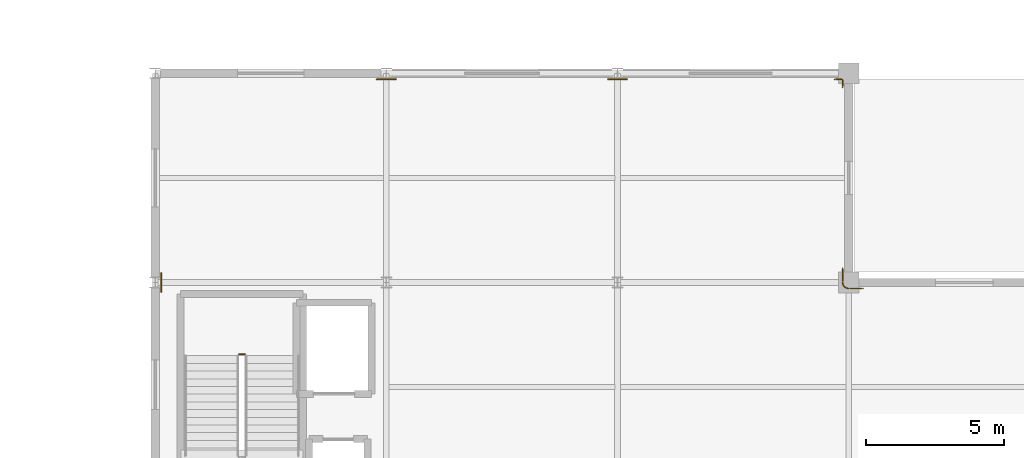
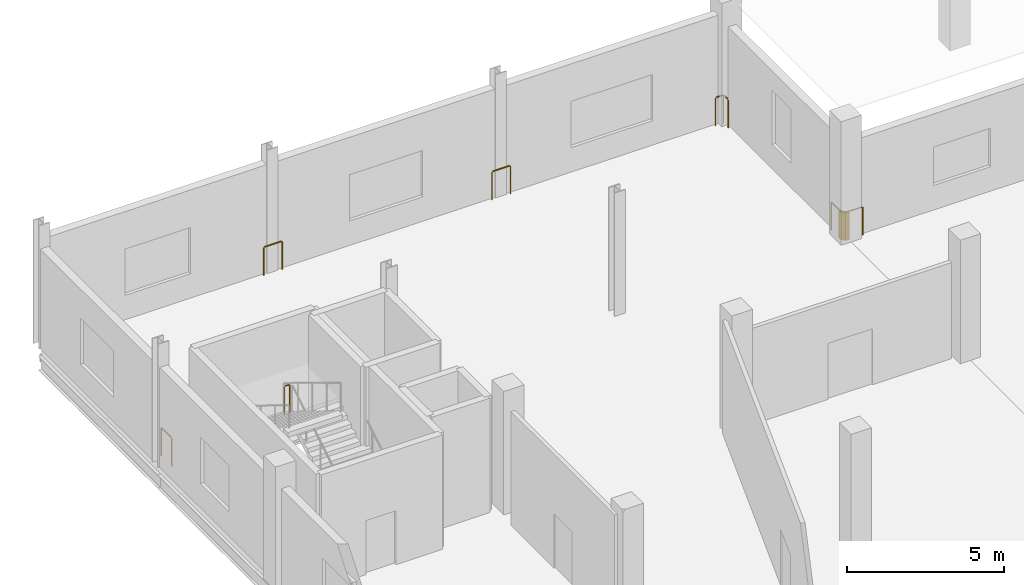
# One storey, part 37 of 51: 6 railings.
"""IFC4 building model written with IfcOpenShell, lengths in metres."""

from ifc_helpers import new_model, si_unit, direction, frame, origin, origin_2d, place, context, subcontext, project, spatial, circle, extrude, material, type_object, element, save


model = new_model("IFC4")

# Units and contexts
model_context = context("Model", 3, precision=1e-05, world=origin(), true_north=direction((0.0, 1.0)))
body_context = subcontext(model_context, "Body", "Model", "MODEL_VIEW")
ifc_project = project(units=[si_unit("LENGTHUNIT", "METRE"), si_unit("AREAUNIT", "SQUARE_METRE"), si_unit("VOLUMEUNIT", "CUBIC_METRE"), si_unit("PLANEANGLEUNIT", "RADIAN"), si_unit("MASSUNIT", "GRAM", prefix="KILO")], contexts=[model_context])

# Site, building, storey
site_placement = place(None, origin())
site = spatial("IfcSite", under=ifc_project, at=site_placement, CompositionType="ELEMENT")
building_placement = place(site_placement, origin())
building = spatial("IfcBuilding", under=site, at=building_placement, Name="Zuvorla Pavilion Media Centre", CompositionType="ELEMENT")
storey_placement = place(building_placement, frame((0.0, 0.0, 4.800048828125)))
storey = spatial("IfcBuildingStorey", under=building, at=storey_placement, Name="L01", CompositionType="ELEMENT", Elevation=4.800048828125)

# Railings
ifc_material = material(Name="Powder-coated steel balustrade guard", Category="steel")
railing_type = type_object("IfcRailingType", Name="RL-INT-GRD", PredefinedType="BALUSTRADE", material=ifc_material)
railing_1_placement = place(storey_placement, frame((44.85009765625, 41.389892578125, 2.39990234375)))
element("IfcRailing", 1, at=railing_1_placement, inside=storey, type_object=railing_type, Name="L01 ST-03 stair guard 2", PredefinedType="BALUSTRADE", context=body_context, shape_type="SweptSolid", body=[
    extrude(circle(Radius=0.02392578125, at=origin_2d()), frame((-0.02880859375, 0.0, 1.09619140625), z_axis=(-1.0, 0.0, 0.0), x_axis=(0.0, -1.0, 0.0)), (0.0, 0.0, 1.0), 0.142578125),
    extrude(circle(Radius=0.02099609375, at=origin_2d()), origin(), (0.0, 0.0, 1.0), 1.070068359375),
    extrude(circle(Radius=0.02099609375, at=origin_2d()), frame((-0.2001953125, 0.0, 0.0)), (0.0, 0.0, 1.0), 1.070068359375),
])
railing_2_placement = place(storey_placement, frame((41.820068359375, 43.6630859375, 0.0)))
element("IfcRailing", 2, at=railing_2_placement, inside=storey, type_object=railing_type, Name="L01 slab edge guard 24", PredefinedType="BALUSTRADE", context=body_context, shape_type="SweptSolid", body=[
    extrude(circle(Radius=0.02392578125, at=origin_2d()), frame((0.0, 0.02880859375, 1.09619140625), z_axis=(0.0, 1.0, 0.0), x_axis=(-1.0, 0.0, 0.0)), (0.0, 0.0, 1.0), 0.6162109375),
    extrude(circle(Radius=0.02099609375, at=origin_2d()), origin(), (0.0, 0.0, 1.0), 1.070068359375),
    extrude(circle(Radius=0.02099609375, at=origin_2d()), frame((0.0, 0.673828125, 0.0)), (0.0, 0.0, 1.0), 1.070068359375),
])
railing_3_placement = place(storey_placement, frame((49.660400390625, 51.3798828125, 0.0)))
element("IfcRailing", 3, at=railing_3_placement, inside=storey, type_object=railing_type, Name="L01 slab edge guard 25", PredefinedType="BALUSTRADE", context=body_context, shape_type="SweptSolid", body=[
    extrude(circle(Radius=0.02392578125, at=origin_2d()), frame((0.02880859375, 0.0, 1.09619140625), z_axis=(1.0, 0.0, 0.0), x_axis=(0.0, 1.0, 0.0)), (0.0, 0.0, 1.0), 0.62158203125),
    extrude(circle(Radius=0.02099609375, at=origin_2d()), origin(), (0.0, 0.0, 1.0), 1.070068359375),
    extrude(circle(Radius=0.02099609375, at=origin_2d()), frame((0.67919921875, 0.0, 0.0)), (0.0, 0.0, 1.0), 1.070068359375),
])
railing_4_placement = place(storey_placement, frame((58.060546875, 51.3798828125, 0.0)))
element("IfcRailing", 4, at=railing_4_placement, inside=storey, type_object=railing_type, Name="L01 slab edge guard 26", PredefinedType="BALUSTRADE", context=body_context, shape_type="SweptSolid", body=[
    extrude(circle(Radius=0.02392578125, at=origin_2d()), frame((0.02880859375, 0.0, 1.09619140625), z_axis=(1.0, 0.0, 0.0), x_axis=(0.0, 1.0, 0.0)), (0.0, 0.0, 1.0), 0.621337890625),
    extrude(circle(Radius=0.02099609375, at=origin_2d()), origin(), (0.0, 0.0, 1.0), 1.070068359375),
    extrude(circle(Radius=0.02099609375, at=origin_2d()), frame((0.678955078125, 0.0, 0.0)), (0.0, 0.0, 1.0), 1.070068359375),
])
railing_5_placement = place(storey_placement, frame((66.284912109375, 51.3798828125, 0.0)))
element("IfcRailing", 5, at=railing_5_placement, inside=storey, type_object=railing_type, Name="L01 slab edge guard 27", PredefinedType="BALUSTRADE", context=body_context, shape_type="SweptSolid", body=[
    extrude(circle(Radius=0.02392578125, at=origin_2d()), frame((0.02880859375, 0.0, 1.09619140625), z_axis=(1.0, 0.0, 0.0), x_axis=(0.0, 1.0, 0.0)), (0.0, 0.0, 1.0), 0.237548828125),
    extrude(circle(Radius=0.02392578125, at=origin_2d()), frame((0.295166015625, -0.02880859375, 1.09619140625), z_axis=(0.0, -1.0, 0.0), x_axis=(1.0, 0.0, 0.0)), (0.0, 0.0, 1.0), 0.2373046875),
    extrude(circle(Radius=0.02099609375, at=origin_2d()), origin(), (0.0, 0.0, 1.0), 1.070068359375),
    extrude(circle(Radius=0.02099609375, at=origin_2d()), frame((0.295166015625, 0.0, 0.0)), (0.0, 0.0, 1.0), 1.070068359375),
    extrude(circle(Radius=0.02099609375, at=origin_2d()), frame((0.295166015625, -0.294921875, 0.0)), (0.0, 0.0, 1.0), 1.070068359375),
])
railing_6_placement = place(storey_placement, frame((66.580078125, 44.514892578125, 0.0)))
element("IfcRailing", 6, at=railing_6_placement, inside=storey, type_object=railing_type, Name="L01 slab edge guard 28", PredefinedType="BALUSTRADE", context=body_context, shape_type="SweptSolid", body=[
    extrude(circle(Radius=0.02392578125, at=origin_2d()), frame((0.0, -0.02880859375, 1.09619140625), z_axis=(0.0, -1.0, 0.0), x_axis=(1.0, 0.0, 0.0)), (0.0, 0.0, 1.0), 0.457275390625),
    extrude(circle(Radius=0.02392578125, at=origin_2d()), frame((0.000244140625, -0.51806640625, 1.09619140625), z_axis=(0.045407660919, -0.99896854021, 0.0), x_axis=(0.99896854021, 0.045407660919, 0.0)), (0.0, 0.0, 1.0), 0.02001953125),
    extrude(circle(Radius=0.02392578125, at=origin_2d()), frame((0.00146484375, -0.53955078125, 1.09619140625), z_axis=(0.146141233759, -0.989263736218, 0.0), x_axis=(0.989263736218, 0.146141233759, 0.0)), (0.0, 0.0, 1.0), 0.02001953125),
    extrude(circle(Radius=0.02392578125, at=origin_2d()), frame((0.0048828125, -0.56103515625, 1.09619140625), z_axis=(0.247833249983, -0.968802704478, 0.0), x_axis=(0.968802704478, 0.247833249983, 0.0)), (0.0, 0.0, 1.0), 0.02001953125),
    extrude(circle(Radius=0.02392578125, at=origin_2d()), frame((0.010498046875, -0.581787109375, 1.09619140625), z_axis=(0.329843743632, -0.94403554212, 0.0), x_axis=(0.94403554212, 0.329843743632, 0.0)), (0.0, 0.0, 1.0), 0.02001953125),
    extrude(circle(Radius=0.02392578125, at=origin_2d()), frame((0.01806640625, -0.60205078125, 1.09619140625), z_axis=(0.429056814568, -0.903277504354, 0.0), x_axis=(0.903277504354, 0.429056814568, 0.0)), (0.0, 0.0, 1.0), 0.02001953125),
    extrude(circle(Radius=0.02392578125, at=origin_2d()), frame((0.027587890625, -0.621337890625, 1.09619140625), z_axis=(0.517802679406, -0.855500079018, 0.0), x_axis=(0.855500079018, 0.517802679406, 0.0)), (0.0, 0.0, 1.0), 0.02001953125),
    extrude(circle(Radius=0.02392578125, at=origin_2d()), frame((0.0390625, -0.639892578125, 1.09619140625), z_axis=(0.590870941899, -0.806766093747, 0.0), x_axis=(0.806766093747, 0.590870941899, 0.0)), (0.0, 0.0, 1.0), 0.02001953125),
    extrude(circle(Radius=0.02392578125, at=origin_2d()), frame((0.052001953125, -0.656982421875, 1.09619140625), z_axis=(0.672105592782, -0.740455314082, 0.0), x_axis=(0.740455314082, 0.672105592782, 0.0)), (0.0, 0.0, 1.0), 0.02001953125),
    extrude(circle(Radius=0.02392578125, at=origin_2d()), frame((0.066650390625, -0.672607421875, 1.09619140625), z_axis=(0.739940073396, -0.672672793996, 0.0), x_axis=(0.672672793996, 0.739940073396, 0.0)), (0.0, 0.0, 1.0), 0.02001953125),
    extrude(circle(Radius=0.02392578125, at=origin_2d()), frame((0.0830078125, -0.68701171875, 1.09619140625), z_axis=(0.806766093747, -0.590870941899, 0.0), x_axis=(0.590870941899, 0.806766093747, 0.0)), (0.0, 0.0, 1.0), 0.02001953125),
    extrude(circle(Radius=0.02392578125, at=origin_2d()), frame((0.100341796875, -0.699462890625, 1.09619140625), z_axis=(0.855500079018, -0.517802679406, 0.0), x_axis=(0.517802679406, 0.855500079018, 0.0)), (0.0, 0.0, 1.0), 0.02001953125),
    extrude(circle(Radius=0.02392578125, at=origin_2d()), frame((0.119140625, -0.71044921875, 1.09619140625), z_axis=(0.903277504354, -0.429056814568, 0.0), x_axis=(0.429056814568, 0.903277504354, 0.0)), (0.0, 0.0, 1.0), 0.02001953125),
    extrude(circle(Radius=0.02392578125, at=origin_2d()), frame((0.138671875, -0.71923828125, 1.09619140625), z_axis=(0.94403554212, -0.329843743632, 0.0), x_axis=(0.329843743632, 0.94403554212, 0.0)), (0.0, 0.0, 1.0), 0.02001953125),
    extrude(circle(Radius=0.02392578125, at=origin_2d()), frame((0.1591796875, -0.72607421875, 1.09619140625), z_axis=(0.968802704478, -0.247833249983, 0.0), x_axis=(0.247833249983, 0.968802704478, 0.0)), (0.0, 0.0, 1.0), 0.02001953125),
    extrude(circle(Radius=0.02392578125, at=origin_2d()), frame((0.18017578125, -0.731201171875, 1.09619140625), z_axis=(0.989019580795, -0.147784535061, 0.0), x_axis=(0.147784535061, 0.989019580795, 0.0)), (0.0, 0.0, 1.0), 0.02001953125),
    extrude(circle(Radius=0.02392578125, at=origin_2d()), frame((0.201416015625, -0.734130859375, 1.09619140625), z_axis=(0.99899155401, -0.044898496809, 0.0), x_axis=(0.044898496809, 0.99899155401, 0.0)), (0.0, 0.0, 1.0), 0.02001953125),
    extrude(circle(Radius=0.02392578125, at=origin_2d()), frame((0.248779296875, -0.73486328125, 1.09619140625), z_axis=(1.0, 0.0, 0.0), x_axis=(0.0, 1.0, 0.0)), (0.0, 0.0, 1.0), 0.457275390625),
    extrude(circle(Radius=0.02099609375, at=origin_2d()), origin(), (0.0, 0.0, 1.0), 1.070068359375),
    extrude(circle(Radius=0.02099609375, at=origin_2d()), frame((0.0, -0.514892578125, 0.0)), (0.0, 0.0, 1.0), 1.070068359375),
    extrude(circle(Radius=0.02099609375, at=origin_2d()), frame((0.0009765625, -0.536376953125, 0.0)), (0.0, 0.0, 1.0), 1.070068359375),
    extrude(circle(Radius=0.02099609375, at=origin_2d()), frame((0.004150390625, -0.557861328125, 0.0)), (0.0, 0.0, 1.0), 1.070068359375),
    extrude(circle(Radius=0.02099609375, at=origin_2d()), frame((0.009521484375, -0.578857421875, 0.0)), (0.0, 0.0, 1.0), 1.070068359375),
    extrude(circle(Radius=0.02099609375, at=origin_2d()), frame((0.0166015625, -0.59912109375, 0.0)), (0.0, 0.0, 1.0), 1.070068359375),
    extrude(circle(Radius=0.02099609375, at=origin_2d()), frame((0.02587890625, -0.61865234375, 0.0)), (0.0, 0.0, 1.0), 1.070068359375),
    extrude(circle(Radius=0.02099609375, at=origin_2d()), frame((0.037109375, -0.63720703125, 0.0)), (0.0, 0.0, 1.0), 1.070068359375),
    extrude(circle(Radius=0.02099609375, at=origin_2d()), frame((0.0498046875, -0.654541015625, 0.0)), (0.0, 0.0, 1.0), 1.070068359375),
    extrude(circle(Radius=0.02099609375, at=origin_2d()), frame((0.064208984375, -0.67041015625, 0.0)), (0.0, 0.0, 1.0), 1.070068359375),
    extrude(circle(Radius=0.02099609375, at=origin_2d()), frame((0.080322265625, -0.68505859375, 0.0)), (0.0, 0.0, 1.0), 1.070068359375),
    extrude(circle(Radius=0.02099609375, at=origin_2d()), frame((0.09765625, -0.69775390625, 0.0)), (0.0, 0.0, 1.0), 1.070068359375),
    extrude(circle(Radius=0.02099609375, at=origin_2d()), frame((0.1162109375, -0.708984375, 0.0)), (0.0, 0.0, 1.0), 1.070068359375),
    extrude(circle(Radius=0.02099609375, at=origin_2d()), frame((0.1357421875, -0.71826171875, 0.0)), (0.0, 0.0, 1.0), 1.070068359375),
    extrude(circle(Radius=0.02099609375, at=origin_2d()), frame((0.156005859375, -0.725341796875, 0.0)), (0.0, 0.0, 1.0), 1.070068359375),
    extrude(circle(Radius=0.02099609375, at=origin_2d()), frame((0.177001953125, -0.730712890625, 0.0)), (0.0, 0.0, 1.0), 1.070068359375),
    extrude(circle(Radius=0.02099609375, at=origin_2d()), frame((0.1982421875, -0.73388671875, 0.0)), (0.0, 0.0, 1.0), 1.070068359375),
    extrude(circle(Radius=0.02099609375, at=origin_2d()), frame((0.219970703125, -0.73486328125, 0.0)), (0.0, 0.0, 1.0), 1.070068359375),
    extrude(circle(Radius=0.02099609375, at=origin_2d()), frame((0.73486328125, -0.73486328125, 0.0)), (0.0, 0.0, 1.0), 1.070068359375),
])

save(model, "model.ifc")
